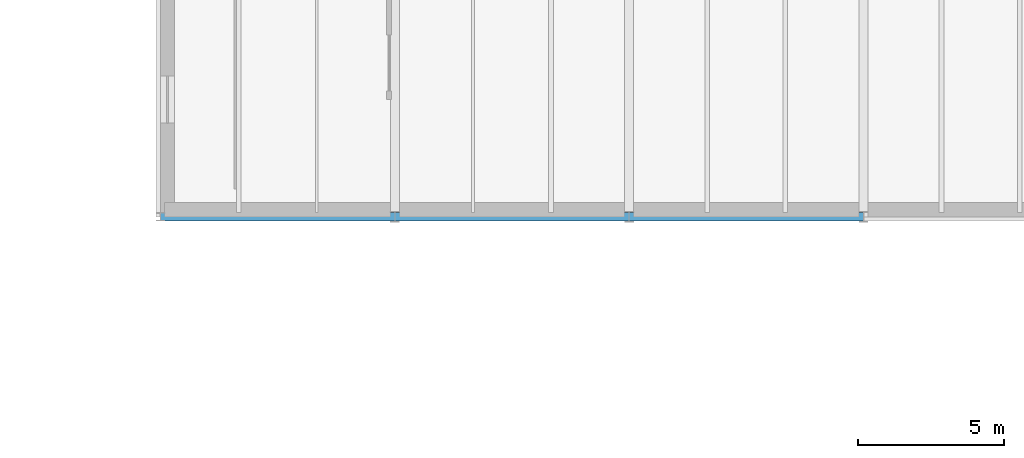
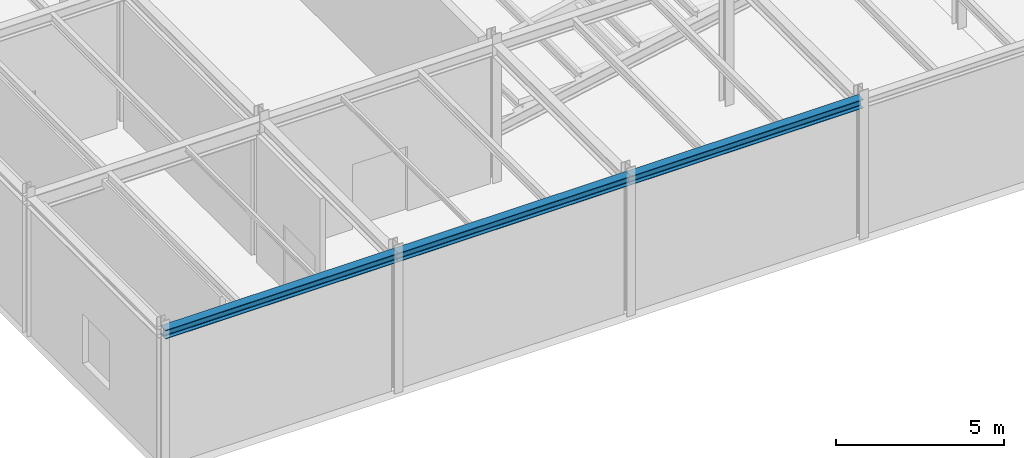
# One storey, part 49 of 129: 3 beams.
"""IFC4 building model written with IfcOpenShell, lengths in metres."""

from ifc_helpers import new_model, si_unit, direction, frame, origin, origin_2d, place, context, subcontext, project, spatial, i_section, extrude, material, material_profile, profile_set, type_object, element, save


model = new_model("IFC4")

# Units and contexts
model_context = context("Model", 3, precision=1e-05, world=origin(), true_north=direction((0.0, 1.0)))
body_context = subcontext(model_context, "Body", "Model", "MODEL_VIEW")
ifc_project = project(units=[si_unit("LENGTHUNIT", "METRE"), si_unit("AREAUNIT", "SQUARE_METRE"), si_unit("VOLUMEUNIT", "CUBIC_METRE"), si_unit("PLANEANGLEUNIT", "RADIAN"), si_unit("MASSUNIT", "GRAM", prefix="KILO")], contexts=[model_context])

# Site, building, storey
site_placement = place(None, origin())
site = spatial("IfcSite", under=ifc_project, at=site_placement, CompositionType="ELEMENT")
building_placement = place(site_placement, origin())
building = spatial("IfcBuilding", under=site, at=building_placement, Name="Sundkrona Museum", CompositionType="ELEMENT")
storey_placement = place(building_placement, origin())
storey = spatial("IfcBuildingStorey", under=building, at=storey_placement, Name="L00", CompositionType="ELEMENT", Elevation=0.0)

# Beams
ifc_material = material(Name="Steel S355J2", Category="steel")
ifc_material_profile = material_profile(ifc_material, i_section(OverallWidth=0.300048828125, OverallDepth=0.320068359375, WebThickness=0.011474609375, FlangeThickness=0.0205078125, FilletRadius=0.027099609375, at=origin_2d()), Name="HEB 320")
ifc_profile_set = profile_set([ifc_material_profile], Name="Steel S355J2")
beam_type = type_object("IfcBeamType", Name="SP-HEB320", PredefinedType="SPANDREL", material=ifc_profile_set)
for number, where, z_axis, x_axis, name in (
    (1, (104.0, 78.0, 4.889892578125), (1.0, 0.0, 0.0), (0.0, 1.0, 0.0), "L00 Girder X-0527"),
    (2, (112.0, 78.0, 4.889892578125), (1.0, 0.0, 0.0), (0.0, 1.0, 0.0), "L00 Girder X-0528"),
    (3, (120.0, 78.0, 4.889892578125), (1.0, 0.0, 0.0), (0.0, 1.0, 0.0), "L00 Girder X-0529"),
):
    element("IfcBeam", number, at=place(storey_placement, frame(where, z_axis=z_axis, x_axis=x_axis)), inside=storey, type_object=beam_type, Name=name, PredefinedType="SPANDREL", context=body_context, shape_type="SweptSolid", body=[
        extrude(i_section(OverallWidth=0.300048828125, OverallDepth=0.320068359375, WebThickness=0.011474609375, FlangeThickness=0.0205078125, FilletRadius=0.027099609375, at=origin_2d()), origin(), (0.0, 0.0, 1.0), 8.0),
    ])

save(model, "model.ifc")
